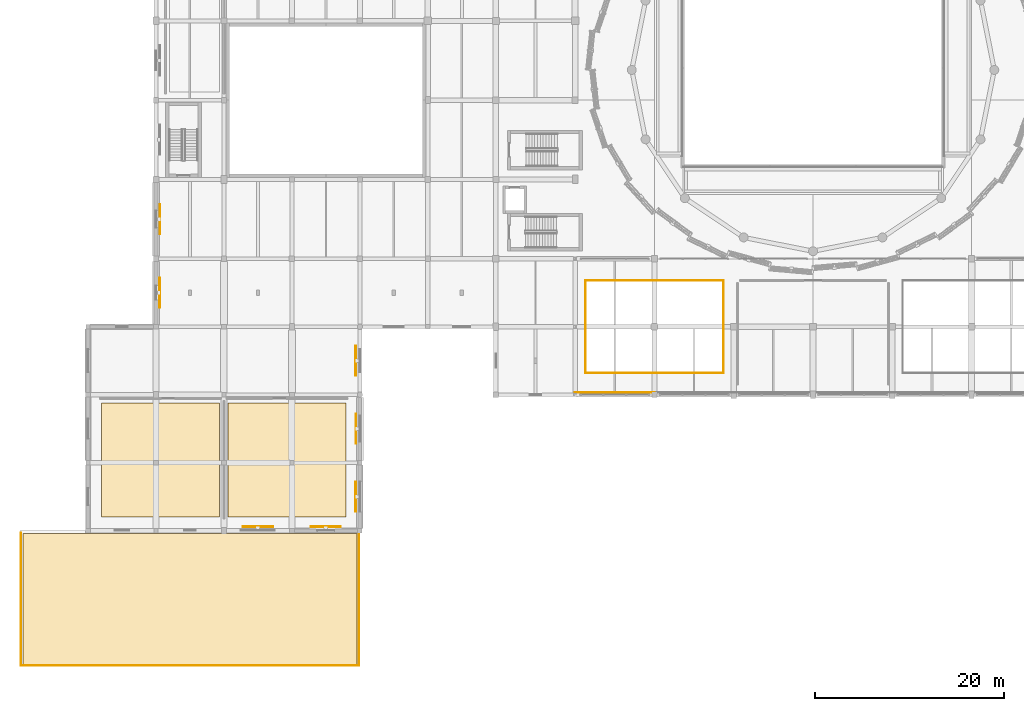
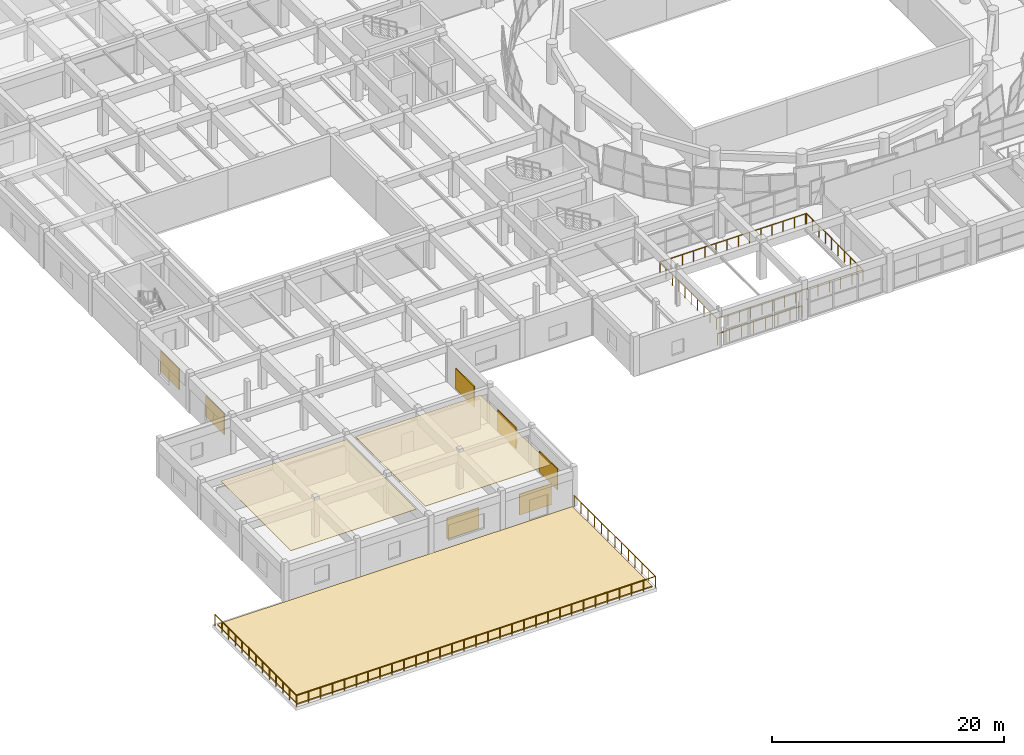
# One storey, part 60 of 71: 7 shading devices, 4 railings, 3 coverings.
"""IFC4 building model written with IfcOpenShell, lengths in metres."""

from ifc_helpers import new_model, si_unit, direction, frame, origin, origin_2d, place, context, subcontext, project, spatial, polyline, rectangle, circle, outline, extrude, material, layer, layer_set, type_object, element, save


model = new_model("IFC4")

# Units and contexts
model_context = context("Model", 3, precision=1e-05, world=origin(), true_north=direction((0.0, 1.0)))
body_context = subcontext(model_context, "Body", "Model", "MODEL_VIEW")
ifc_project = project(units=[si_unit("LENGTHUNIT", "METRE"), si_unit("AREAUNIT", "SQUARE_METRE"), si_unit("VOLUMEUNIT", "CUBIC_METRE"), si_unit("PLANEANGLEUNIT", "RADIAN"), si_unit("MASSUNIT", "GRAM", prefix="KILO")], contexts=[model_context])

# Site, building, storey
site_placement = place(None, origin())
site = spatial("IfcSite", under=ifc_project, at=site_placement, CompositionType="ELEMENT")
building_placement = place(site_placement, origin())
building = spatial("IfcBuilding", under=site, at=building_placement, Name="Korsvaeld Concert Hall", CompositionType="ELEMENT")
storey_placement = place(building_placement, frame((0.0, 0.0, 4.800048828125)))
storey = spatial("IfcBuildingStorey", under=building, at=storey_placement, Name="L01", CompositionType="ELEMENT", Elevation=4.800048828125)

# Coverings
ifc_material_1 = material(Name="Suspended sculpted European oak acoustic ceiling")
ifc_layer_1 = layer(ifc_material_1, 0.044921875)
ifc_layer_set_1 = layer_set([ifc_layer_1], Name="Suspended sculpted European oak acoustic ceiling")
covering_type_1 = type_object("IfcCoveringType", Name="COV-CEIL-OAK", PredefinedType="CEILING", material=ifc_layer_set_1)
covering_1_placement = place(storey_placement, frame((0.0, 0.0, 3.8349609375)))
element("IfcCovering", 1, at=covering_1_placement, inside=storey, type_object=covering_type_1, Name="Acoustic oak reflector ceiling L01-05", PredefinedType="CEILING", context=body_context, shape_type="SweptSolid", body=[
    extrude(outline(polyline([(8.64990234375, 15.85009765625), (8.64990234375, 27.949951171875), (21.14990234375, 27.949951171875), (21.14990234375, 15.85009765625), (8.64990234375, 15.85009765625)])), origin(), (0.0, 0.0, 1.0), 0.044921875),
])
covering_2_placement = place(storey_placement, frame((0.0, 0.0, 3.8349609375)))
element("IfcCovering", 2, at=covering_2_placement, inside=storey, type_object=covering_type_1, Name="Acoustic oak reflector ceiling L01-06", PredefinedType="CEILING", context=body_context, shape_type="SweptSolid", body=[
    extrude(outline(polyline([(34.550048828125, 27.949951171875), (34.550048828125, 15.85009765625), (22.050048828125, 15.85009765625), (22.050048828125, 27.949951171875), (34.550048828125, 27.949951171875)])), origin(), (0.0, 0.0, 1.0), 0.044921875),
])
ifc_material_2 = material(Name="Mughal-garden sedum planted green roof substrate")
ifc_layer_2 = layer(ifc_material_2, 0.1201171875)
ifc_layer_set_2 = layer_set([ifc_layer_2], Name="Mughal-garden sedum planted green roof substrate")
covering_type_2 = type_object("IfcCoveringType", Name="COV-ROOF-GREEN", PredefinedType="ROOFING", material=ifc_layer_set_2)
covering_3_placement = place(storey_placement, origin())
element("IfcCovering", 3, at=covering_3_placement, inside=storey, type_object=covering_type_2, Name="Mughal-garden green roof planting TER_L01_SW", PredefinedType="ROOFING", context=body_context, shape_type="SweptSolid", body=[
    extrude(outline(polyline([(35.699951171875, 0.300048828125), (35.699951171875, 14.10009765625), (0.300048828125, 14.10009765625), (0.300048828125, 0.300048828125), (35.699951171875, 0.300048828125)])), origin(), (0.0, 0.0, 1.0), 0.119873046875),
])

# Railings
ifc_material_3 = material(Name="Anodised architectural bronze guardrail")
railing_type_1 = type_object("IfcRailingType", Name="RL-TERR-GUARD-120", PredefinedType="GUARDRAIL", material=ifc_material_3)
railing_1_placement = place(storey_placement, frame((67.199951171875, 29.050048828125, 0.0)))
element("IfcRailing", 4, at=railing_1_placement, inside=storey, type_object=railing_type_1, Name="Wintergarden glazed front guardrail CW-FOY-L01-12", PredefinedType="GUARDRAIL", context=body_context, shape_type="SweptSolid", body=[
    extrude(circle(Radius=0.02392578125, at=origin_2d()), frame((0.0, 0.0, 1.17578125), z_axis=(-1.0, 0.0, 0.0), x_axis=(0.0, -1.0, 0.0)), (0.0, 0.0, 1.0), 8.39990234375),
    extrude(circle(Radius=0.02099609375, at=origin_2d()), origin(), (0.0, 0.0, 1.0), 1.15185546875),
    extrude(circle(Radius=0.02099609375, at=origin_2d()), frame((-1.199951171875, 0.0, 0.0)), (0.0, 0.0, 1.0), 1.15185546875),
    extrude(circle(Radius=0.02099609375, at=origin_2d()), frame((-2.39990234375, 0.0, 0.0)), (0.0, 0.0, 1.0), 1.15185546875),
    extrude(circle(Radius=0.02099609375, at=origin_2d()), frame((-3.599853515625, 0.0, 0.0)), (0.0, 0.0, 1.0), 1.15185546875),
    extrude(circle(Radius=0.02099609375, at=origin_2d()), frame((-4.800048828125, 0.0, 0.0)), (0.0, 0.0, 1.0), 1.15185546875),
    extrude(circle(Radius=0.02099609375, at=origin_2d()), frame((-6.0, 0.0, 0.0)), (0.0, 0.0, 1.0), 1.15185546875),
    extrude(circle(Radius=0.02099609375, at=origin_2d()), frame((-7.199951171875, 0.0, 0.0)), (0.0, 0.0, 1.0), 1.15185546875),
    extrude(circle(Radius=0.02099609375, at=origin_2d()), frame((-8.39990234375, 0.0, 0.0)), (0.0, 0.0, 1.0), 1.15185546875),
])
railing_2_placement = place(storey_placement, frame((0.10009765625, 14.139892578125, 0.0)))
element("IfcRailing", 5, at=railing_2_placement, inside=storey, type_object=railing_type_1, Name="Planted terrace bronze guardrail TER_L01_SW", PredefinedType="GUARDRAIL", context=body_context, shape_type="SweptSolid", body=[
    extrude(circle(Radius=0.02392578125, at=origin_2d()), frame((0.0, 0.0, 1.17578125), z_axis=(0.0, -1.0, 0.0), x_axis=(1.0, 0.0, 0.0)), (0.0, 0.0, 1.0), 14.039794921875),
    extrude(circle(Radius=0.02392578125, at=origin_2d()), frame((0.0, -14.039794921875, 1.17578125), z_axis=(1.0, 0.0, 0.0), x_axis=(0.0, 1.0, 0.0)), (0.0, 0.0, 1.0), 35.7998046875),
    extrude(circle(Radius=0.02392578125, at=origin_2d()), frame((35.7998046875, -14.039794921875, 1.17578125), z_axis=(0.0, 1.0, 0.0), x_axis=(-1.0, 0.0, 0.0)), (0.0, 0.0, 1.0), 14.039794921875),
    extrude(circle(Radius=0.02099609375, at=origin_2d()), origin(), (0.0, 0.0, 1.0), 1.15185546875),
    extrude(circle(Radius=0.02099609375, at=origin_2d()), frame((0.0, -1.169921875, 0.0)), (0.0, 0.0, 1.0), 1.15185546875),
    extrude(circle(Radius=0.02099609375, at=origin_2d()), frame((0.0, -2.33984375, 0.0)), (0.0, 0.0, 1.0), 1.15185546875),
    extrude(circle(Radius=0.02099609375, at=origin_2d()), frame((0.0, -3.510009765625, 0.0)), (0.0, 0.0, 1.0), 1.15185546875),
    extrude(circle(Radius=0.02099609375, at=origin_2d()), frame((0.0, -4.679931640625, 0.0)), (0.0, 0.0, 1.0), 1.15185546875),
    extrude(circle(Radius=0.02099609375, at=origin_2d()), frame((0.0, -5.849853515625, 0.0)), (0.0, 0.0, 1.0), 1.15185546875),
    extrude(circle(Radius=0.02099609375, at=origin_2d()), frame((0.0, -7.02001953125, 0.0)), (0.0, 0.0, 1.0), 1.15185546875),
    extrude(circle(Radius=0.02099609375, at=origin_2d()), frame((0.0, -8.18994140625, 0.0)), (0.0, 0.0, 1.0), 1.15185546875),
    extrude(circle(Radius=0.02099609375, at=origin_2d()), frame((0.0, -9.35986328125, 0.0)), (0.0, 0.0, 1.0), 1.15185546875),
    extrude(circle(Radius=0.02099609375, at=origin_2d()), frame((0.0, -10.52978515625, 0.0)), (0.0, 0.0, 1.0), 1.15185546875),
    extrude(circle(Radius=0.02099609375, at=origin_2d()), frame((0.0, -11.69970703125, 0.0)), (0.0, 0.0, 1.0), 1.15185546875),
    extrude(circle(Radius=0.02099609375, at=origin_2d()), frame((0.0, -12.869873046875, 0.0)), (0.0, 0.0, 1.0), 1.15185546875),
    extrude(circle(Radius=0.02099609375, at=origin_2d()), frame((0.0, -14.039794921875, 0.0)), (0.0, 0.0, 1.0), 1.15185546875),
    extrude(circle(Radius=0.02099609375, at=origin_2d()), frame((1.193359375, -14.039794921875, 0.0)), (0.0, 0.0, 1.0), 1.15185546875),
    extrude(circle(Radius=0.02099609375, at=origin_2d()), frame((2.38671875, -14.039794921875, 0.0)), (0.0, 0.0, 1.0), 1.15185546875),
    extrude(circle(Radius=0.02099609375, at=origin_2d()), frame((3.580078125, -14.039794921875, 0.0)), (0.0, 0.0, 1.0), 1.15185546875),
    extrude(circle(Radius=0.02099609375, at=origin_2d()), frame((4.773193359375, -14.039794921875, 0.0)), (0.0, 0.0, 1.0), 1.15185546875),
    extrude(circle(Radius=0.02099609375, at=origin_2d()), frame((5.966552734375, -14.039794921875, 0.0)), (0.0, 0.0, 1.0), 1.15185546875),
    extrude(circle(Radius=0.02099609375, at=origin_2d()), frame((7.159912109375, -14.039794921875, 0.0)), (0.0, 0.0, 1.0), 1.15185546875),
    extrude(circle(Radius=0.02099609375, at=origin_2d()), frame((8.353271484375, -14.039794921875, 0.0)), (0.0, 0.0, 1.0), 1.15185546875),
    extrude(circle(Radius=0.02099609375, at=origin_2d()), frame((9.546630859375, -14.039794921875, 0.0)), (0.0, 0.0, 1.0), 1.15185546875),
    extrude(circle(Radius=0.02099609375, at=origin_2d()), frame((10.739990234375, -14.039794921875, 0.0)), (0.0, 0.0, 1.0), 1.15185546875),
    extrude(circle(Radius=0.02099609375, at=origin_2d()), frame((11.933349609375, -14.039794921875, 0.0)), (0.0, 0.0, 1.0), 1.15185546875),
    extrude(circle(Radius=0.02099609375, at=origin_2d()), frame((13.126708984375, -14.039794921875, 0.0)), (0.0, 0.0, 1.0), 1.15185546875),
    extrude(circle(Radius=0.02099609375, at=origin_2d()), frame((14.31982421875, -14.039794921875, 0.0)), (0.0, 0.0, 1.0), 1.15185546875),
    extrude(circle(Radius=0.02099609375, at=origin_2d()), frame((15.51318359375, -14.039794921875, 0.0)), (0.0, 0.0, 1.0), 1.15185546875),
    extrude(circle(Radius=0.02099609375, at=origin_2d()), frame((16.70654296875, -14.039794921875, 0.0)), (0.0, 0.0, 1.0), 1.15185546875),
    extrude(circle(Radius=0.02099609375, at=origin_2d()), frame((17.89990234375, -14.039794921875, 0.0)), (0.0, 0.0, 1.0), 1.15185546875),
    extrude(circle(Radius=0.02099609375, at=origin_2d()), frame((19.09326171875, -14.039794921875, 0.0)), (0.0, 0.0, 1.0), 1.15185546875),
    extrude(circle(Radius=0.02099609375, at=origin_2d()), frame((20.28662109375, -14.039794921875, 0.0)), (0.0, 0.0, 1.0), 1.15185546875),
    extrude(circle(Radius=0.02099609375, at=origin_2d()), frame((21.47998046875, -14.039794921875, 0.0)), (0.0, 0.0, 1.0), 1.15185546875),
    extrude(circle(Radius=0.02099609375, at=origin_2d()), frame((22.673095703125, -14.039794921875, 0.0)), (0.0, 0.0, 1.0), 1.15185546875),
    extrude(circle(Radius=0.02099609375, at=origin_2d()), frame((23.866455078125, -14.039794921875, 0.0)), (0.0, 0.0, 1.0), 1.15185546875),
    extrude(circle(Radius=0.02099609375, at=origin_2d()), frame((25.059814453125, -14.039794921875, 0.0)), (0.0, 0.0, 1.0), 1.15185546875),
    extrude(circle(Radius=0.02099609375, at=origin_2d()), frame((26.253173828125, -14.039794921875, 0.0)), (0.0, 0.0, 1.0), 1.15185546875),
    extrude(circle(Radius=0.02099609375, at=origin_2d()), frame((27.446533203125, -14.039794921875, 0.0)), (0.0, 0.0, 1.0), 1.15185546875),
    extrude(circle(Radius=0.02099609375, at=origin_2d()), frame((28.639892578125, -14.039794921875, 0.0)), (0.0, 0.0, 1.0), 1.15185546875),
    extrude(circle(Radius=0.02099609375, at=origin_2d()), frame((29.833251953125, -14.039794921875, 0.0)), (0.0, 0.0, 1.0), 1.15185546875),
    extrude(circle(Radius=0.02099609375, at=origin_2d()), frame((31.026611328125, -14.039794921875, 0.0)), (0.0, 0.0, 1.0), 1.15185546875),
    extrude(circle(Radius=0.02099609375, at=origin_2d()), frame((32.2197265625, -14.039794921875, 0.0)), (0.0, 0.0, 1.0), 1.15185546875),
    extrude(circle(Radius=0.02099609375, at=origin_2d()), frame((33.4130859375, -14.039794921875, 0.0)), (0.0, 0.0, 1.0), 1.15185546875),
    extrude(circle(Radius=0.02099609375, at=origin_2d()), frame((34.6064453125, -14.039794921875, 0.0)), (0.0, 0.0, 1.0), 1.15185546875),
    extrude(circle(Radius=0.02099609375, at=origin_2d()), frame((35.7998046875, -14.039794921875, 0.0)), (0.0, 0.0, 1.0), 1.15185546875),
    extrude(circle(Radius=0.02099609375, at=origin_2d()), frame((35.7998046875, -12.869873046875, 0.0)), (0.0, 0.0, 1.0), 1.15185546875),
    extrude(circle(Radius=0.02099609375, at=origin_2d()), frame((35.7998046875, -11.69970703125, 0.0)), (0.0, 0.0, 1.0), 1.15185546875),
    extrude(circle(Radius=0.02099609375, at=origin_2d()), frame((35.7998046875, -10.52978515625, 0.0)), (0.0, 0.0, 1.0), 1.15185546875),
    extrude(circle(Radius=0.02099609375, at=origin_2d()), frame((35.7998046875, -9.35986328125, 0.0)), (0.0, 0.0, 1.0), 1.15185546875),
    extrude(circle(Radius=0.02099609375, at=origin_2d()), frame((35.7998046875, -8.18994140625, 0.0)), (0.0, 0.0, 1.0), 1.15185546875),
    extrude(circle(Radius=0.02099609375, at=origin_2d()), frame((35.7998046875, -7.02001953125, 0.0)), (0.0, 0.0, 1.0), 1.15185546875),
    extrude(circle(Radius=0.02099609375, at=origin_2d()), frame((35.7998046875, -5.849853515625, 0.0)), (0.0, 0.0, 1.0), 1.15185546875),
    extrude(circle(Radius=0.02099609375, at=origin_2d()), frame((35.7998046875, -4.679931640625, 0.0)), (0.0, 0.0, 1.0), 1.15185546875),
    extrude(circle(Radius=0.02099609375, at=origin_2d()), frame((35.7998046875, -3.510009765625, 0.0)), (0.0, 0.0, 1.0), 1.15185546875),
    extrude(circle(Radius=0.02099609375, at=origin_2d()), frame((35.7998046875, -2.33984375, 0.0)), (0.0, 0.0, 1.0), 1.15185546875),
    extrude(circle(Radius=0.02099609375, at=origin_2d()), frame((35.7998046875, -1.169921875, 0.0)), (0.0, 0.0, 1.0), 1.15185546875),
    extrude(circle(Radius=0.02099609375, at=origin_2d()), frame((35.7998046875, 0.0, 0.0)), (0.0, 0.0, 1.0), 1.15185546875),
])
ifc_material_4 = material(Name="Acoustic laminated glass and oak auditorium balustrade", Category="glass")
railing_type_2 = type_object("IfcRailingType", Name="RL-VOID-BAL-120", PredefinedType="BALUSTRADE", material=ifc_material_4)
railing_3_placement = place(storey_placement, frame((59.89990234375, 31.10009765625, 0.0)))
element("IfcRailing", 6, at=railing_3_placement, inside=storey, type_object=railing_type_2, Name="Wintergarden atrium void balustrade VOID_WG_W_L01 SE", PredefinedType="BALUSTRADE", context=body_context, shape_type="SweptSolid", body=[
    extrude(circle(Radius=0.02392578125, at=origin_2d()), frame((0.0, 0.0, 1.17578125), z_axis=(1.0, 0.0, 0.0), x_axis=(0.0, 1.0, 0.0)), (0.0, 0.0, 1.0), 14.60009765625),
    extrude(circle(Radius=0.02392578125, at=origin_2d()), frame((14.60009765625, 0.0, 1.17578125), z_axis=(0.0, 1.0, 0.0), x_axis=(-1.0, 0.0, 0.0)), (0.0, 0.0, 1.0), 9.7998046875),
    extrude(circle(Radius=0.02099609375, at=origin_2d()), origin(), (0.0, 0.0, 1.0), 1.15185546875),
    extrude(circle(Radius=0.02099609375, at=origin_2d()), frame((1.123046875, 0.0, 0.0)), (0.0, 0.0, 1.0), 1.15185546875),
    extrude(circle(Radius=0.02099609375, at=origin_2d()), frame((2.24609375, 0.0, 0.0)), (0.0, 0.0, 1.0), 1.15185546875),
    extrude(circle(Radius=0.02099609375, at=origin_2d()), frame((3.369140625, 0.0, 0.0)), (0.0, 0.0, 1.0), 1.15185546875),
    extrude(circle(Radius=0.02099609375, at=origin_2d()), frame((4.492431640625, 0.0, 0.0)), (0.0, 0.0, 1.0), 1.15185546875),
    extrude(circle(Radius=0.02099609375, at=origin_2d()), frame((5.615478515625, 0.0, 0.0)), (0.0, 0.0, 1.0), 1.15185546875),
    extrude(circle(Radius=0.02099609375, at=origin_2d()), frame((6.738525390625, 0.0, 0.0)), (0.0, 0.0, 1.0), 1.15185546875),
    extrude(circle(Radius=0.02099609375, at=origin_2d()), frame((7.861572265625, 0.0, 0.0)), (0.0, 0.0, 1.0), 1.15185546875),
    extrude(circle(Radius=0.02099609375, at=origin_2d()), frame((8.984619140625, 0.0, 0.0)), (0.0, 0.0, 1.0), 1.15185546875),
    extrude(circle(Radius=0.02099609375, at=origin_2d()), frame((10.107666015625, 0.0, 0.0)), (0.0, 0.0, 1.0), 1.15185546875),
    extrude(circle(Radius=0.02099609375, at=origin_2d()), frame((11.23095703125, 0.0, 0.0)), (0.0, 0.0, 1.0), 1.15185546875),
    extrude(circle(Radius=0.02099609375, at=origin_2d()), frame((12.35400390625, 0.0, 0.0)), (0.0, 0.0, 1.0), 1.15185546875),
    extrude(circle(Radius=0.02099609375, at=origin_2d()), frame((13.47705078125, 0.0, 0.0)), (0.0, 0.0, 1.0), 1.15185546875),
    extrude(circle(Radius=0.02099609375, at=origin_2d()), frame((14.60009765625, 0.0, 0.0)), (0.0, 0.0, 1.0), 1.15185546875),
    extrude(circle(Radius=0.02099609375, at=origin_2d()), frame((14.60009765625, 1.0888671875, 0.0)), (0.0, 0.0, 1.0), 1.15185546875),
    extrude(circle(Radius=0.02099609375, at=origin_2d()), frame((14.60009765625, 2.177734375, 0.0)), (0.0, 0.0, 1.0), 1.15185546875),
    extrude(circle(Radius=0.02099609375, at=origin_2d()), frame((14.60009765625, 3.2666015625, 0.0)), (0.0, 0.0, 1.0), 1.15185546875),
    extrude(circle(Radius=0.02099609375, at=origin_2d()), frame((14.60009765625, 4.35546875, 0.0)), (0.0, 0.0, 1.0), 1.15185546875),
    extrude(circle(Radius=0.02099609375, at=origin_2d()), frame((14.60009765625, 5.4443359375, 0.0)), (0.0, 0.0, 1.0), 1.15185546875),
    extrude(circle(Radius=0.02099609375, at=origin_2d()), frame((14.60009765625, 6.533203125, 0.0)), (0.0, 0.0, 1.0), 1.15185546875),
    extrude(circle(Radius=0.02099609375, at=origin_2d()), frame((14.60009765625, 7.6220703125, 0.0)), (0.0, 0.0, 1.0), 1.15185546875),
    extrude(circle(Radius=0.02099609375, at=origin_2d()), frame((14.60009765625, 8.7109375, 0.0)), (0.0, 0.0, 1.0), 1.15185546875),
    extrude(circle(Radius=0.02099609375, at=origin_2d()), frame((14.60009765625, 9.7998046875, 0.0)), (0.0, 0.0, 1.0), 1.15185546875),
])
railing_4_placement = place(storey_placement, frame((74.419921875, 40.89990234375, 0.0)))
element("IfcRailing", 7, at=railing_4_placement, inside=storey, type_object=railing_type_2, Name="Wintergarden atrium void balustrade VOID_WG_W_L01 NW", PredefinedType="BALUSTRADE", context=body_context, shape_type="SweptSolid", body=[
    extrude(circle(Radius=0.02392578125, at=origin_2d()), frame((0.0, 0.0, 1.17578125), z_axis=(-1.0, 0.0, 0.0), x_axis=(0.0, -1.0, 0.0)), (0.0, 0.0, 1.0), 14.52001953125),
    extrude(circle(Radius=0.02392578125, at=origin_2d()), frame((-14.52001953125, 0.0, 1.17578125), z_axis=(0.0, -1.0, 0.0), x_axis=(1.0, 0.0, 0.0)), (0.0, 0.0, 1.0), 9.719970703125),
    extrude(circle(Radius=0.02099609375, at=origin_2d()), origin(), (0.0, 0.0, 1.0), 1.15185546875),
    extrude(circle(Radius=0.02099609375, at=origin_2d()), frame((-1.116943359375, 0.0, 0.0)), (0.0, 0.0, 1.0), 1.15185546875),
    extrude(circle(Radius=0.02099609375, at=origin_2d()), frame((-2.23388671875, 0.0, 0.0)), (0.0, 0.0, 1.0), 1.15185546875),
    extrude(circle(Radius=0.02099609375, at=origin_2d()), frame((-3.350830078125, 0.0, 0.0)), (0.0, 0.0, 1.0), 1.15185546875),
    extrude(circle(Radius=0.02099609375, at=origin_2d()), frame((-4.4677734375, 0.0, 0.0)), (0.0, 0.0, 1.0), 1.15185546875),
    extrude(circle(Radius=0.02099609375, at=origin_2d()), frame((-5.584716796875, 0.0, 0.0)), (0.0, 0.0, 1.0), 1.15185546875),
    extrude(circle(Radius=0.02099609375, at=origin_2d()), frame((-6.70166015625, 0.0, 0.0)), (0.0, 0.0, 1.0), 1.15185546875),
    extrude(circle(Radius=0.02099609375, at=origin_2d()), frame((-7.818359375, 0.0, 0.0)), (0.0, 0.0, 1.0), 1.15185546875),
    extrude(circle(Radius=0.02099609375, at=origin_2d()), frame((-8.935302734375, 0.0, 0.0)), (0.0, 0.0, 1.0), 1.15185546875),
    extrude(circle(Radius=0.02099609375, at=origin_2d()), frame((-10.05224609375, 0.0, 0.0)), (0.0, 0.0, 1.0), 1.15185546875),
    extrude(circle(Radius=0.02099609375, at=origin_2d()), frame((-11.169189453125, 0.0, 0.0)), (0.0, 0.0, 1.0), 1.15185546875),
    extrude(circle(Radius=0.02099609375, at=origin_2d()), frame((-12.2861328125, 0.0, 0.0)), (0.0, 0.0, 1.0), 1.15185546875),
    extrude(circle(Radius=0.02099609375, at=origin_2d()), frame((-13.403076171875, 0.0, 0.0)), (0.0, 0.0, 1.0), 1.15185546875),
    extrude(circle(Radius=0.02099609375, at=origin_2d()), frame((-14.52001953125, 0.0, 0.0)), (0.0, 0.0, 1.0), 1.15185546875),
    extrude(circle(Radius=0.02099609375, at=origin_2d()), frame((-14.52001953125, -1.080078125, 0.0)), (0.0, 0.0, 1.0), 1.15185546875),
    extrude(circle(Radius=0.02099609375, at=origin_2d()), frame((-14.52001953125, -2.159912109375, 0.0)), (0.0, 0.0, 1.0), 1.15185546875),
    extrude(circle(Radius=0.02099609375, at=origin_2d()), frame((-14.52001953125, -3.239990234375, 0.0)), (0.0, 0.0, 1.0), 1.15185546875),
    extrude(circle(Radius=0.02099609375, at=origin_2d()), frame((-14.52001953125, -4.320068359375, 0.0)), (0.0, 0.0, 1.0), 1.15185546875),
    extrude(circle(Radius=0.02099609375, at=origin_2d()), frame((-14.52001953125, -5.39990234375, 0.0)), (0.0, 0.0, 1.0), 1.15185546875),
    extrude(circle(Radius=0.02099609375, at=origin_2d()), frame((-14.52001953125, -6.47998046875, 0.0)), (0.0, 0.0, 1.0), 1.15185546875),
    extrude(circle(Radius=0.02099609375, at=origin_2d()), frame((-14.52001953125, -7.56005859375, 0.0)), (0.0, 0.0, 1.0), 1.15185546875),
    extrude(circle(Radius=0.02099609375, at=origin_2d()), frame((-14.52001953125, -8.639892578125, 0.0)), (0.0, 0.0, 1.0), 1.15185546875),
    extrude(circle(Radius=0.02099609375, at=origin_2d()), frame((-14.52001953125, -9.719970703125, 0.0)), (0.0, 0.0, 1.0), 1.15185546875),
])

# Shading devices
ifc_material_5 = material(Name="Anodised architectural bronze pierced jali screen")
ifc_layer_3 = layer(ifc_material_5, 0.080078125)
ifc_layer_set_3 = layer_set([ifc_layer_3], Name="Anodised architectural bronze pierced jali screen")
shading_device_type = type_object("IfcShadingDeviceType", Name="SHD-JALI-BRONZE", PredefinedType="JALOUSIE", material=ifc_layer_set_3)
for number, where, z_axis, x_axis, name in (
    (8, (14.81494140625, 39.60009765625, 0.5), (0.0, 0.0, 1.0), (0.0, 1.0, 0.0), "Bronze pierced jali brise-soleil screen L01-01"),
    (9, (14.830078125, 47.39990234375, 0.5), (0.0, 0.0, 1.0), (0.0, 1.0, 0.0), "Bronze pierced jali brise-soleil screen L01-02"),
    (10, (35.570068359375, 32.39990234375, 0.5), (0.0, 0.0, 1.0), (0.0, -1.0, 0.0), "Bronze pierced jali brise-soleil screen L01-56"),
    (11, (35.5849609375, 25.199951171875, 0.5), (0.0, 0.0, 1.0), (0.0, -1.0, 0.0), "Bronze pierced jali brise-soleil screen L01-57"),
    (12, (35.570068359375, 18.0, 0.5), (0.0, 0.0, 1.0), (0.0, -1.0, 0.0), "Bronze pierced jali brise-soleil screen L01-58"),
    (13, (32.39990234375, 14.81494140625, 0.5), (0.0, 0.0, 1.0), (-1.0, 0.0, 0.0), "Bronze pierced jali brise-soleil screen L01-59"),
    (14, (25.199951171875, 14.830078125, 0.5), (0.0, 0.0, 1.0), (-1.0, 0.0, 0.0), "Bronze pierced jali brise-soleil screen L01-60"),
):
    element("IfcShadingDevice", number, at=place(storey_placement, frame(where, z_axis=z_axis, x_axis=x_axis)), inside=storey, type_object=shading_device_type, Name=name, PredefinedType="JALOUSIE", context=body_context, shape_type="SweptSolid", body=[
        extrude(rectangle(XDim=3.199951171875, YDim=0.080078125, at=origin_2d()), origin(), (0.0, 0.0, 1.0), 2.199951171875),
    ])

save(model, "model.ifc")
